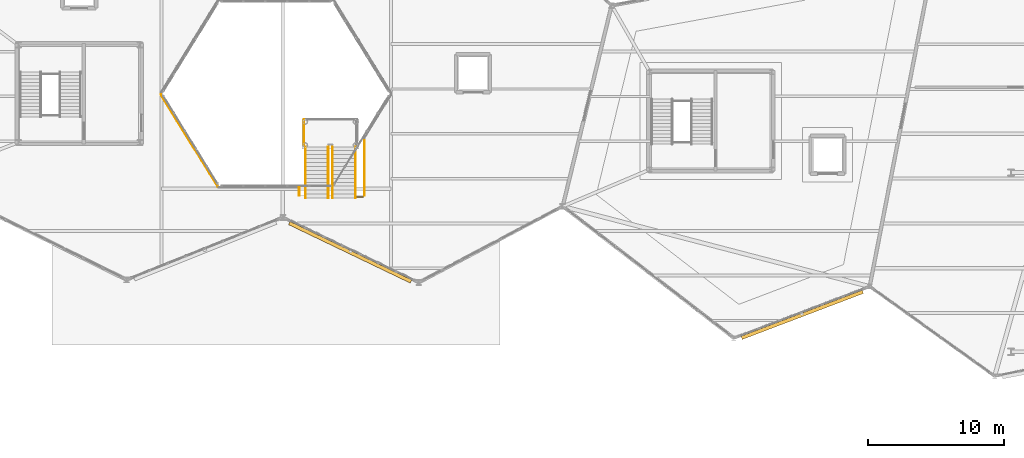
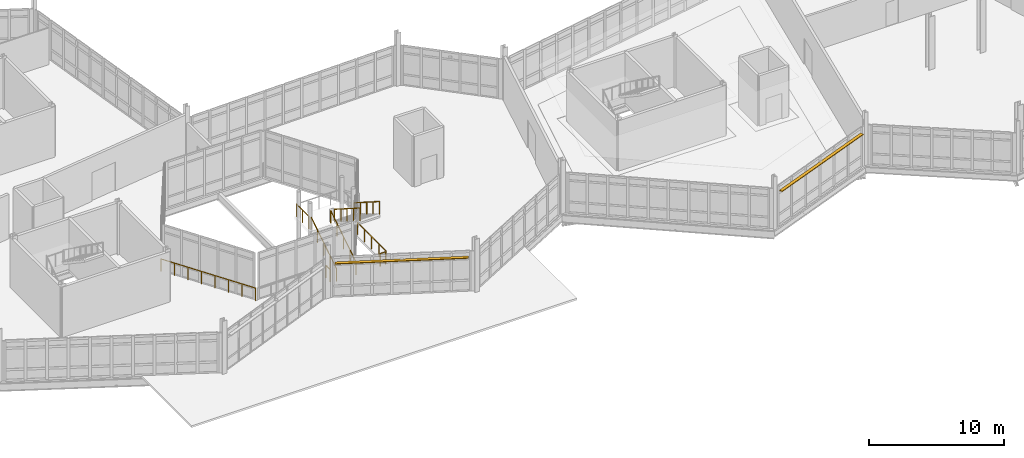
# One storey, part 129 of 134: 9 railings, 2 shading devices.
"""IFC4 building model written with IfcOpenShell, lengths in metres."""

from ifc_helpers import new_model, si_unit, direction, frame, origin, origin_2d, place, context, subcontext, project, spatial, rectangle, circle, extrude, material, layer, layer_set, type_object, element, save


model = new_model("IFC4")

# Units and contexts
model_context = context("Model", 3, precision=1e-05, world=origin(), true_north=direction((0.0, 1.0)))
body_context = subcontext(model_context, "Body", "Model", "MODEL_VIEW")
ifc_project = project(units=[si_unit("LENGTHUNIT", "METRE"), si_unit("AREAUNIT", "SQUARE_METRE"), si_unit("VOLUMEUNIT", "CUBIC_METRE"), si_unit("PLANEANGLEUNIT", "RADIAN"), si_unit("MASSUNIT", "GRAM", prefix="KILO")], contexts=[model_context])

# Site, building, storey
site_placement = place(None, origin())
site = spatial("IfcSite", under=ifc_project, at=site_placement, CompositionType="ELEMENT")
building_placement = place(site_placement, origin())
building = spatial("IfcBuilding", under=site, at=building_placement, Name="Tameran Prism Museum", CompositionType="ELEMENT")
storey_placement = place(building_placement, frame((0.0, 0.0, 5.39990234375)))
storey = spatial("IfcBuildingStorey", under=building, at=storey_placement, Name="L01", CompositionType="ELEMENT", Elevation=5.39990234375)

# Railings
ifc_material_1 = material(Name="Laminated Glass and Stainless Steel 316", Category="steel")
ifc_layer_1 = layer(ifc_material_1, 0.06494140625)
ifc_layer_set_1 = layer_set([ifc_layer_1])
railing_type = type_object("IfcRailingType", Name="RL-BAL-1150", PredefinedType="BALUSTRADE", material=ifc_layer_set_1)
for number, where, name in (
    (1, (79.159912109375, 28.820068359375, 0.0), "Atrium Stair Guardrail BL-115"),
    (2, (80.840087890625, 28.820068359375, 0.0), "Atrium Stair Guardrail BL-116"),
):
    element("IfcRailing", number, at=place(storey_placement, frame(where)), inside=storey, type_object=railing_type, Name=name, PredefinedType="BALUSTRADE", context=body_context, shape_type="SweptSolid", body=[
        extrude(circle(Radius=0.02392578125, at=origin_2d()), frame((0.0, 0.0, 1.1259765625), z_axis=(0.0, 0.843555751359, 0.537041613237), x_axis=(-1.0, 0.0, 0.0)), (0.0, 0.0, 1.0), 4.46923828125),
        extrude(circle(Radius=0.02099609375, at=origin_2d()), origin(), (0.0, 0.0, 1.0), 1.101806640625),
        extrude(circle(Radius=0.02099609375, at=origin_2d()), frame((0.0, 0.9423828125, 0.60009765625)), (0.0, 0.0, 1.0), 1.101806640625),
        extrude(circle(Radius=0.02099609375, at=origin_2d()), frame((0.0, 1.885009765625, 1.2001953125)), (0.0, 0.0, 1.0), 1.101806640625),
        extrude(circle(Radius=0.02099609375, at=origin_2d()), frame((0.0, 2.82763671875, 1.800048828125)), (0.0, 0.0, 1.0), 1.101806640625),
        extrude(circle(Radius=0.02099609375, at=origin_2d()), frame((0.0, 3.77001953125, 2.400146484375)), (0.0, 0.0, 1.0), 1.101806640625),
    ])
for number, where, name in (
    (3, (81.159912109375, 32.590087890625, 2.400146484375), "Atrium Stair Guardrail BL-117"),
    (4, (82.840087890625, 32.590087890625, 2.400146484375), "Atrium Stair Guardrail BL-118"),
):
    element("IfcRailing", number, at=place(storey_placement, frame(where)), inside=storey, type_object=railing_type, Name=name, PredefinedType="BALUSTRADE", context=body_context, shape_type="SweptSolid", body=[
        extrude(circle(Radius=0.02392578125, at=origin_2d()), frame((0.0, 0.0, 1.1259765625), z_axis=(0.0, -0.843580498726, 0.537002739443), x_axis=(1.0, 0.0, 0.0)), (0.0, 0.0, 1.0), 4.468994140625),
        extrude(circle(Radius=0.02099609375, at=origin_2d()), origin(), (0.0, 0.0, 1.0), 1.101806640625),
        extrude(circle(Radius=0.02099609375, at=origin_2d()), frame((0.0, -0.9423828125, 0.60009765625)), (0.0, 0.0, 1.0), 1.101806640625),
        extrude(circle(Radius=0.02099609375, at=origin_2d()), frame((0.0, -1.885009765625, 1.199951171875)), (0.0, 0.0, 1.0), 1.101806640625),
        extrude(circle(Radius=0.02099609375, at=origin_2d()), frame((0.0, -2.82763671875, 1.7998046875)), (0.0, 0.0, 1.0), 1.101806640625),
        extrude(circle(Radius=0.02099609375, at=origin_2d()), frame((0.0, -3.77001953125, 2.39990234375)), (0.0, 0.0, 1.0), 1.101806640625),
    ])
railing_1_placement = place(storey_placement, frame((79.06005859375, 32.77001953125, 2.400146484375)))
element("IfcRailing", 5, at=railing_1_placement, inside=storey, type_object=railing_type, Name="Atrium Landing Perimeter Guard BL-120", PredefinedType="BALUSTRADE", context=body_context, shape_type="SweptSolid", body=[
    extrude(circle(Radius=0.02392578125, at=origin_2d()), frame((0.0, 0.0, 1.1259765625), z_axis=(0.0, 1.0, 0.0), x_axis=(-1.0, 0.0, 0.0)), (0.0, 0.0, 1.0), 1.820068359375),
    extrude(circle(Radius=0.02099609375, at=origin_2d()), origin(), (0.0, 0.0, 1.0), 1.101806640625),
    extrude(circle(Radius=0.02099609375, at=origin_2d()), frame((0.0, 0.91015625, 0.0)), (0.0, 0.0, 1.0), 1.101806640625),
    extrude(circle(Radius=0.02099609375, at=origin_2d()), frame((0.0, 1.820068359375, 0.0)), (0.0, 0.0, 1.0), 1.101806640625),
])
railing_2_placement = place(storey_placement, frame((72.715087890625, 29.64697265625, 0.0)))
element("IfcRailing", 6, at=railing_2_placement, inside=storey, type_object=railing_type, Name="Atrium Void Balustrade BL-A001", PredefinedType="BALUSTRADE", context=body_context, shape_type="SweptSolid", body=[
    extrude(circle(Radius=0.02392578125, at=origin_2d()), frame((0.0, 0.0, 1.1259765625), z_axis=(-0.525507837885, 0.85078875893, 0.0), x_axis=(-0.85078875893, -0.525507837885, 0.0)), (0.0, 0.0, 1.0), 7.99267578125),
    extrude(circle(Radius=0.02099609375, at=origin_2d()), origin(), (0.0, 0.0, 1.0), 1.101806640625),
    extrude(circle(Radius=0.02099609375, at=origin_2d()), frame((-0.60009765625, 0.971435546875, 0.0)), (0.0, 0.0, 1.0), 1.101806640625),
    extrude(circle(Radius=0.02099609375, at=origin_2d()), frame((-1.199951171875, 1.94287109375, 0.0)), (0.0, 0.0, 1.0), 1.101806640625),
    extrude(circle(Radius=0.02099609375, at=origin_2d()), frame((-1.800048828125, 2.914306640625, 0.0)), (0.0, 0.0, 1.0), 1.101806640625),
    extrude(circle(Radius=0.02099609375, at=origin_2d()), frame((-2.400146484375, 3.8857421875, 0.0)), (0.0, 0.0, 1.0), 1.101806640625),
    extrude(circle(Radius=0.02099609375, at=origin_2d()), frame((-3.000244140625, 4.857177734375, 0.0)), (0.0, 0.0, 1.0), 1.101806640625),
    extrude(circle(Radius=0.02099609375, at=origin_2d()), frame((-3.60009765625, 5.82861328125, 0.0)), (0.0, 0.0, 1.0), 1.101806640625),
    extrude(circle(Radius=0.02099609375, at=origin_2d()), frame((-4.2001953125, 6.800048828125, 0.0)), (0.0, 0.0, 1.0), 1.101806640625),
])
railing_3_placement = place(storey_placement, frame((83.5, 33.23388671875, 0.0)))
element("IfcRailing", 7, at=railing_3_placement, inside=storey, type_object=railing_type, Name="Atrium Void Balustrade BL-A006", PredefinedType="BALUSTRADE", context=body_context, shape_type="SweptSolid", body=[
    extrude(circle(Radius=0.02392578125, at=origin_2d()), frame((0.0, 0.0, 1.1259765625), z_axis=(0.0, -1.0, 0.0), x_axis=(1.0, 0.0, 0.0)), (0.0, 0.0, 1.0), 4.23388671875),
    extrude(circle(Radius=0.02099609375, at=origin_2d()), origin(), (0.0, 0.0, 1.0), 1.101806640625),
    extrude(circle(Radius=0.02099609375, at=origin_2d()), frame((0.0, -1.05859375, 0.0)), (0.0, 0.0, 1.0), 1.101806640625),
    extrude(circle(Radius=0.02099609375, at=origin_2d()), frame((0.0, -2.116943359375, 0.0)), (0.0, 0.0, 1.0), 1.101806640625),
    extrude(circle(Radius=0.02099609375, at=origin_2d()), frame((0.0, -3.17529296875, 0.0)), (0.0, 0.0, 1.0), 1.101806640625),
    extrude(circle(Radius=0.02099609375, at=origin_2d()), frame((0.0, -4.23388671875, 0.0)), (0.0, 0.0, 1.0), 1.101806640625),
])
railing_4_placement = place(storey_placement, frame((83.39990234375, 28.89990234375, 0.0)))
element("IfcRailing", 8, at=railing_4_placement, inside=storey, type_object=railing_type, Name="Atrium Void Balustrade BL-A007", PredefinedType="BALUSTRADE", context=body_context, shape_type="SweptSolid", body=[
    extrude(circle(Radius=0.02392578125, at=origin_2d()), frame((0.0, 0.0, 1.1259765625), z_axis=(-1.0, 0.0, 0.0), x_axis=(0.0, -1.0, 0.0)), (0.0, 0.0, 1.0), 0.449951171875),
    extrude(circle(Radius=0.02099609375, at=origin_2d()), origin(), (0.0, 0.0, 1.0), 1.101806640625),
    extrude(circle(Radius=0.02099609375, at=origin_2d()), frame((-0.449951171875, 0.0, 0.0)), (0.0, 0.0, 1.0), 1.101806640625),
])
railing_5_placement = place(storey_placement, frame((78.699951171875, 29.0, 0.0)))
element("IfcRailing", 9, at=railing_5_placement, inside=storey, type_object=railing_type, Name="Atrium Void Balustrade BL-A008", PredefinedType="BALUSTRADE", context=body_context, shape_type="SweptSolid", body=[
    extrude(circle(Radius=0.02392578125, at=origin_2d()), frame((0.0, 0.0, 1.1259765625), z_axis=(0.0, 1.0, 0.0), x_axis=(-1.0, 0.0, 0.0)), (0.0, 0.0, 1.0), 0.60009765625),
    extrude(circle(Radius=0.02099609375, at=origin_2d()), origin(), (0.0, 0.0, 1.0), 1.101806640625),
    extrude(circle(Radius=0.02099609375, at=origin_2d()), frame((0.0, 0.60009765625, 0.0)), (0.0, 0.0, 1.0), 1.101806640625),
])

# Shading devices
ifc_material_2 = material(Name="Anodised Aluminium Alloy 6063-T6", Category="aluminium")
ifc_layer_2 = layer(ifc_material_2, 0.050048828125)
ifc_layer_set_2 = layer_set([ifc_layer_2])
shading_device_type = type_object("IfcShadingDeviceType", Name="SH-LOUV-300", PredefinedType="SHUTTER", material=ifc_layer_set_2)
shading_device_1_placement = place(storey_placement, frame((82.448974609375, 24.824951171875, 3.14013671875), z_axis=(0.0, 0.0, 1.0), x_axis=(-0.9015306539, 0.43271524133, 0.0)))
element("IfcShadingDevice", 10, at=shading_device_1_placement, inside=storey, type_object=shading_device_type, Name="Monsoon Storm Louvre SLV-023", PredefinedType="SHUTTER", context=body_context, shape_type="SweptSolid", body=[
    extrude(rectangle(XDim=9.931884765625, YDim=0.260009765625, at=origin_2d()), origin(), (0.0, 0.0, 1.0), 0.06005859375),
])
shading_device_2_placement = place(storey_placement, frame((115.736083984375, 20.220947265625, 3.14013671875), z_axis=(0.0, 0.0, 1.0), x_axis=(-0.934763684301, -0.355270114859, 0.0)))
element("IfcShadingDevice", 11, at=shading_device_2_placement, inside=storey, type_object=shading_device_type, Name="Monsoon Storm Louvre SLV-027", PredefinedType="SHUTTER", context=body_context, shape_type="SweptSolid", body=[
    extrude(rectangle(XDim=9.5380859375, YDim=0.260009765625, at=origin_2d()), origin(), (0.0, 0.0, 1.0), 0.06005859375),
])

save(model, "model.ifc")
